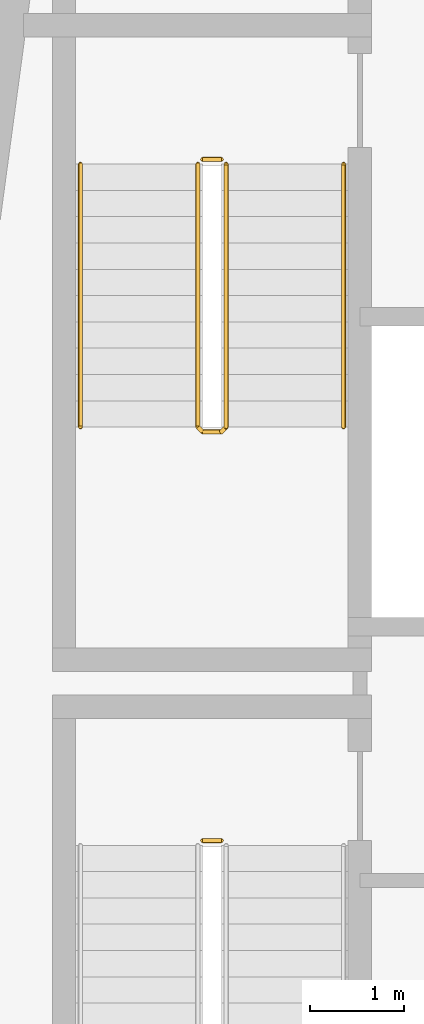
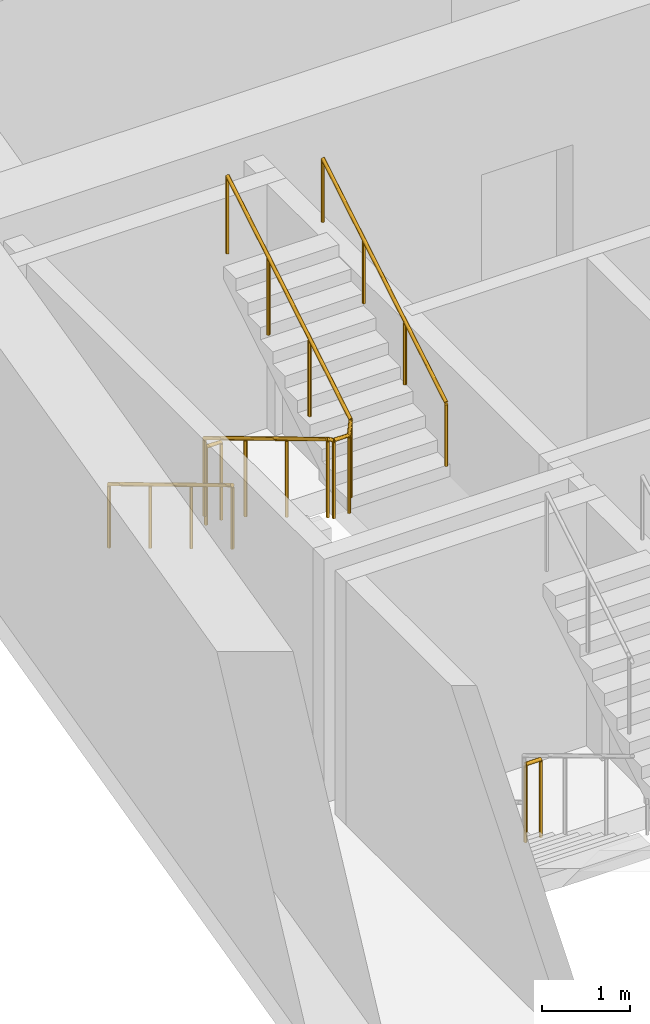
# One storey, part 9 of 12: 5 railings.
"""IFC4 building model written with IfcOpenShell, lengths in metres."""

import ifcopenshell
import ifcopenshell.guid

model = None  # the IFC model being written
_history = None  # IfcOwnerHistory: only IFC2X3 demands one
_inside = {}  # id of a spatial element -> (the spatial element, [elements in it])
_under = {}  # id of a project, library or spatial element -> (it, [spatial elements below it])
_declared = {}  # id of a project -> (the project, [libraries it declares])
_typed = {}  # id of a type object -> (the type object, [elements of that type])
_made_of = {}  # id of a material, layer set ... -> (it, [elements and type objects made of it])


def new_model(schema):
    """Start an empty IFC model of exactly this schema.

    Asked for "IFC4X3", IfcOpenShell would pick the latest addendum, in which some entities
    have other attributes; the version numbers below select the first issue.
    IFC2X3 requires an IfcOwnerHistory on every rooted entity: one is made here for all.
    """
    global model, _history
    if schema == "IFC4X3":
        model = ifcopenshell.file(schema_version=(4, 3, 0, 0))
    else:
        model = ifcopenshell.file(schema=schema)
    _inside.clear()
    _under.clear()
    _declared.clear()
    _typed.clear()
    _made_of.clear()
    _history = None
    if model.schema == "IFC2X3":
        org = make("IfcOrganization", Name="unknown")
        user = make(
            "IfcPersonAndOrganization",
            ThePerson=make("IfcPerson", FamilyName="unknown"),
            TheOrganization=org,
        )
        app = make(
            "IfcApplication",
            ApplicationDeveloper=org,
            Version="unknown",
            ApplicationFullName="unknown",
            ApplicationIdentifier="unknown",
        )
        _history = make(
            "IfcOwnerHistory",
            OwningUser=user,
            OwningApplication=app,
            ChangeAction="ADDED",
            CreationDate=0,
        )
    return model


def make(cls, **values):
    """One entity of the class cls with the attributes given. An attribute that is None is left unset."""
    return model.create_entity(
        cls, **{name: value for name, value in values.items() if value is not None}
    )


def rooted(cls, **values):
    """An entity with a GlobalId (a new one), such as an element, a storey or a relation."""
    return make(cls, GlobalId=ifcopenshell.guid.new(), OwnerHistory=_history, **values)


def si_unit(unit_type, name, prefix=None):
    """IfcSIUnit, for example si_unit("LENGTHUNIT", "METRE", prefix="MILLI")."""
    return make("IfcSIUnit", UnitType=unit_type, Prefix=prefix, Name=name)


def assignment(units):
    """IfcUnitAssignment: the units of a project."""
    return None if units is None else make("IfcUnitAssignment", Units=units)


def point(xyz):
    """IfcCartesianPoint."""
    return None if xyz is None else make("IfcCartesianPoint", Coordinates=xyz)


def direction(xyz):
    """IfcDirection."""
    return None if xyz is None else make("IfcDirection", DirectionRatios=xyz)


def frame(location, z_axis=None, x_axis=None):
    """IfcAxis2Placement3D, a coordinate frame: its origin and axes. An axis left out is left unset."""
    return make(
        "IfcAxis2Placement3D",
        Location=point(location),
        Axis=direction(z_axis),
        RefDirection=direction(x_axis),
    )


def frame_2d(location, x_axis=None):
    """IfcAxis2Placement2D, a coordinate frame in the plane: its origin and x axis."""
    return make(
        "IfcAxis2Placement2D", Location=point(location), RefDirection=direction(x_axis)
    )


def origin():
    """The frame at (0, 0, 0) with its axes left unset."""
    return frame((0.0, 0.0, 0.0))


def origin_2d():
    """The frame at (0, 0) in the plane with its x axis left unset."""
    return frame_2d((0.0, 0.0))


def place(relative_to, where):
    """IfcLocalPlacement: puts the frame where relative to a parent placement (None: the world)."""
    return make(
        "IfcLocalPlacement", PlacementRelTo=relative_to, RelativePlacement=where
    )


def context(
    kind, dimensions, precision=None, world=None, true_north=None, identifier=None
):
    """IfcGeometricRepresentationContext, for example the 3D "Model" context."""
    return make(
        "IfcGeometricRepresentationContext",
        ContextIdentifier=identifier,
        ContextType=kind,
        CoordinateSpaceDimension=dimensions,
        Precision=precision,
        WorldCoordinateSystem=world,
        TrueNorth=true_north,
    )


def subcontext(parent, identifier, kind, view, scale=None):
    """IfcGeometricRepresentationSubContext, for example "Body" below "Model"."""
    return make(
        "IfcGeometricRepresentationSubContext",
        ContextIdentifier=identifier,
        ContextType=kind,
        ParentContext=parent,
        TargetScale=scale,
        TargetView=view,
    )


def project(units=None, contexts=None):
    """IfcProject with its units and contexts."""
    return rooted(
        "IfcProject",
        Name="project",
        RepresentationContexts=contexts,
        UnitsInContext=assignment(units),
    )


def spatial(cls, under=None, at=None, **own):
    """A site, building, storey or space (cls), placed at a placement, below another one or the project."""
    s = rooted(cls, ObjectPlacement=at, **own)
    if under is not None:
        _under.setdefault(under.id(), (under, []))[1].append(s)
    return s


def profile(cls, at=None, kind="AREA", **sizes):
    """A parametric profile (cls). Its sizes go by their IFC names, for example OverallWidth=200.0."""
    return make(cls, ProfileType=kind, Position=at, **sizes)


def circle(**sizes):
    """IfcCircleProfileDef."""
    return profile("IfcCircleProfileDef", **sizes)


def extrude(swept, where, along, depth):
    """IfcExtrudedAreaSolid: the profile swept, set in the frame where, extruded along a direction by depth."""
    return make(
        "IfcExtrudedAreaSolid",
        SweptArea=swept,
        Position=where,
        ExtrudedDirection=direction(along),
        Depth=depth,
    )


def shape(context_of_items, identifier, shape_type, items):
    """IfcShapeRepresentation: the items that make up one representation, for example the "Body"."""
    return make(
        "IfcShapeRepresentation",
        ContextOfItems=context_of_items,
        RepresentationIdentifier=identifier,
        RepresentationType=shape_type,
        Items=items,
    )


def material(Name=None, Category=None):
    """IfcMaterial."""
    return make("IfcMaterial", Name=Name, Category=Category)


def made_of(thing, what):
    """Note that an element or type object is made of a material, layer set ...; save() writes the relation."""
    if what is not None:
        _made_of.setdefault(what.id(), (what, []))[1].append(thing)
    return thing


def type_object(cls, material=None, **own):
    """A type object (cls), such as IfcWallType, which elements share."""
    return made_of(rooted(cls, **own), material)


def element(
    cls,
    number,
    at=None,
    inside=None,
    cuts=None,
    type_object=None,
    material=None,
    context=None,
    identifier="Body",
    shape_type=None,
    held_by="IfcProductDefinitionShape",
    body=None,
    shapes=None,
    **own,
):
    """One element of the class cls, such as IfcWall. Its Tag is "e" and its number.

    at: its placement. inside: the storey or other place that contains it. cuts: it is an
    opening in that element (IfcRelVoidsElement). A single representation is given by context,
    identifier, shape_type and body (its items); several are given by shapes. held_by: the class
    of the entity that holds the representations. save() writes the other relations.
    """
    e = rooted(cls, Tag="e%d" % number, ObjectPlacement=at, **own)
    if body is not None:
        shapes = [shape(context, identifier, shape_type, body)]
    if shapes is not None:
        e.Representation = make(held_by, Representations=shapes)
    if inside is not None:
        _inside.setdefault(inside.id(), (inside, []))[1].append(e)
    if cuts is not None:
        rooted(
            "IfcRelVoidsElement", RelatingBuildingElement=cuts, RelatedOpeningElement=e
        )
    if type_object is not None:
        _typed.setdefault(type_object.id(), (type_object, []))[1].append(e)
    return made_of(e, material)


def aggregate(whole, parts):
    """IfcRelAggregates: a whole, such as a stair, and the parts it consists of."""
    return rooted("IfcRelAggregates", RelatingObject=whole, RelatedObjects=parts)


def save(model, path):
    """Write the relations noted so far, then the file.

    IfcRelAggregates (storeys below a building ...), IfcRelContainedInSpatialStructure (elements
    in a storey), IfcRelDefinesByType, IfcRelAssociatesMaterial and IfcRelDeclares: one each for
    every whole, place, type object, material and project.
    """
    for whole, parts in _under.values():
        aggregate(whole, parts)
    for where, things in _inside.values():
        rooted(
            "IfcRelContainedInSpatialStructure",
            RelatedElements=things,
            RelatingStructure=where,
        )
    for kind, things in _typed.values():
        rooted("IfcRelDefinesByType", RelatedObjects=things, RelatingType=kind)
    for what, things in _made_of.values():
        rooted("IfcRelAssociatesMaterial", RelatedObjects=things, RelatingMaterial=what)
    for by, libraries in _declared.values():
        rooted("IfcRelDeclares", RelatingContext=by, RelatedDefinitions=libraries)
    model.write(path)


model = new_model("IFC4")

# Units and contexts
model_context = context("Model", 3, precision=1e-05, world=origin(), true_north=direction((0.0, 1.0)))
body_context = subcontext(model_context, "Body", "Model", "MODEL_VIEW")
ifc_project = project(units=[si_unit("LENGTHUNIT", "METRE"), si_unit("AREAUNIT", "SQUARE_METRE"), si_unit("VOLUMEUNIT", "CUBIC_METRE"), si_unit("PLANEANGLEUNIT", "RADIAN"), si_unit("MASSUNIT", "GRAM", prefix="KILO")], contexts=[model_context])

# Site, building, storey
site_placement = place(None, origin())
site = spatial("IfcSite", under=ifc_project, at=site_placement, CompositionType="ELEMENT")
building_placement = place(site_placement, origin())
building = spatial("IfcBuilding", under=site, at=building_placement, Name="Candeia Pilgrim Tower and Theatre", CompositionType="ELEMENT")
storey_placement = place(building_placement, frame((0.0, 0.0, 217.0)))
storey = spatial("IfcBuildingStorey", under=building, at=storey_placement, Name="L52", CompositionType="ELEMENT", Elevation=217.0)

# Railings
ifc_material_1 = material(Name="Stainless steel balustrade", Category="steel")
railing_type_1 = type_object("IfcRailingType", Name="RL-GUARD-1100", PredefinedType="GUARDRAIL", material=ifc_material_1)
railing_1_placement = place(storey_placement, frame((91.152099609375, 122.52490234375, 0.0)))
element("IfcRailing", 1, at=railing_1_placement, inside=storey, type_object=railing_type_1, Name="L52 ST1 stair guard 2", PredefinedType="GUARDRAIL", context=body_context, shape_type="SweptSolid", body=[
    extrude(circle(Radius=0.02392578125, at=origin_2d()), frame((0.0, 0.0, 1.076171875), z_axis=(1.0, 0.0, 0.0), x_axis=(0.0, 1.0, 0.0)), (0.0, 0.0, 1.0), 0.199951171875),
    extrude(circle(Radius=0.02099609375, at=origin_2d()), origin(), (0.0, 0.0, 1.0), 1.052001953125),
    extrude(circle(Radius=0.02099609375, at=origin_2d()), frame((0.199951171875, 0.0, 0.0)), (0.0, 0.0, 1.0), 1.052001953125),
])
railing_2_placement = place(storey_placement, frame((91.10205078125, 129.72509765625, 0.168212890625)))
element("IfcRailing", 2, at=railing_2_placement, inside=storey, type_object=railing_type_1, Name="L52 ST2 stair guard 1", PredefinedType="GUARDRAIL", context=body_context, shape_type="SweptSolid", body=[
    extrude(circle(Radius=0.02392578125, at=origin_2d()), frame((0.0, 0.0, 1.076171875), z_axis=(0.0, -0.857242210791, 0.514913383045), x_axis=(1.0, 0.0, 0.0)), (0.0, 0.0, 1.0), 3.266357421875),
    extrude(circle(Radius=0.02392578125, at=origin_2d()), frame((0.0, -2.800048828125, 2.7578125), z_axis=(0.707106781187, -0.707106781187, 0.0), x_axis=(0.707106781187, 0.707106781187, 0.0)), (0.0, 0.0, 1.0), 0.07080078125),
    extrude(circle(Radius=0.02392578125, at=origin_2d()), frame((0.050048828125, -2.85009765625, 2.7578125), z_axis=(1.0, 0.0, 0.0), x_axis=(0.0, 1.0, 0.0)), (0.0, 0.0, 1.0), 0.199951171875),
    extrude(circle(Radius=0.02392578125, at=origin_2d()), frame((0.25, -2.85009765625, 2.7578125), z_axis=(0.274582412415, 0.274582412415, 0.921525364591), x_axis=(-0.707106781187, 0.707106781187, 0.0)), (0.0, 0.0, 1.0), 0.182373046875),
    extrude(circle(Radius=0.02392578125, at=origin_2d()), frame((0.300048828125, -2.800048828125, 2.92578125), z_axis=(0.0, 0.857242210791, 0.514913383045), x_axis=(-1.0, 0.0, 0.0)), (0.0, 0.0, 1.0), 3.266357421875),
    extrude(circle(Radius=0.02099609375, at=origin_2d()), origin(), (0.0, 0.0, 1.0), 1.052001953125),
    extrude(circle(Radius=0.02099609375, at=origin_2d()), frame((0.0, -0.933349609375, 0.560546875)), (0.0, 0.0, 1.0), 1.052001953125),
    extrude(circle(Radius=0.02099609375, at=origin_2d()), frame((0.0, -1.86669921875, 1.121337890625)), (0.0, 0.0, 1.0), 1.052001953125),
    extrude(circle(Radius=0.02099609375, at=origin_2d()), frame((0.0, -2.800048828125, 1.681884765625)), (0.0, 0.0, 1.0), 1.052001953125),
    extrude(circle(Radius=0.02099609375, at=origin_2d()), frame((0.050048828125, -2.85009765625, 1.681884765625)), (0.0, 0.0, 1.0), 1.052001953125),
    extrude(circle(Radius=0.02099609375, at=origin_2d()), frame((0.25, -2.85009765625, 1.681884765625)), (0.0, 0.0, 1.0), 1.052001953125),
    extrude(circle(Radius=0.02099609375, at=origin_2d()), frame((0.300048828125, -2.800048828125, 1.849853515625)), (0.0, 0.0, 1.0), 1.052001953125),
    extrude(circle(Radius=0.02099609375, at=origin_2d()), frame((0.300048828125, -1.86669921875, 2.410400390625)), (0.0, 0.0, 1.0), 1.052001953125),
    extrude(circle(Radius=0.02099609375, at=origin_2d()), frame((0.300048828125, -0.933349609375, 2.97119140625)), (0.0, 0.0, 1.0), 1.052001953125),
    extrude(circle(Radius=0.02099609375, at=origin_2d()), frame((0.300048828125, 0.0, 3.53173828125)), (0.0, 0.0, 1.0), 1.052001953125),
])
railing_3_placement = place(storey_placement, frame((91.152099609375, 129.77490234375, 0.0)))
element("IfcRailing", 3, at=railing_3_placement, inside=storey, type_object=railing_type_1, Name="L52 ST2 stair guard 2", PredefinedType="GUARDRAIL", context=body_context, shape_type="SweptSolid", body=[
    extrude(circle(Radius=0.02392578125, at=origin_2d()), frame((0.0, 0.0, 1.076171875), z_axis=(1.0, 0.0, 0.0), x_axis=(0.0, 1.0, 0.0)), (0.0, 0.0, 1.0), 0.199951171875),
    extrude(circle(Radius=0.02099609375, at=origin_2d()), origin(), (0.0, 0.0, 1.0), 1.052001953125),
    extrude(circle(Radius=0.02099609375, at=origin_2d()), frame((0.199951171875, 0.0, 0.0)), (0.0, 0.0, 1.0), 1.052001953125),
])
ifc_material_2 = material(Name="Stainless steel handrail", Category="steel")
railing_type_2 = type_object("IfcRailingType", Name="RL-HANDRAIL-900", PredefinedType="HANDRAIL", material=ifc_material_2)
railing_4_placement = place(storey_placement, frame((89.85205078125, 129.72509765625, 0.168212890625)))
element("IfcRailing", 4, at=railing_4_placement, inside=storey, type_object=railing_type_2, Name="L52 ST2 stair handrail 1", PredefinedType="HANDRAIL", context=body_context, shape_type="SweptSolid", body=[
    extrude(circle(Radius=0.02392578125, at=origin_2d()), frame((0.0, 0.0, 0.8759765625), z_axis=(0.0, -0.857242210791, 0.514913383045), x_axis=(1.0, 0.0, 0.0)), (0.0, 0.0, 1.0), 3.266357421875),
    extrude(circle(Radius=0.02099609375, at=origin_2d()), origin(), (0.0, 0.0, 1.0), 0.851806640625),
    extrude(circle(Radius=0.02099609375, at=origin_2d()), frame((0.0, -0.933349609375, 0.560546875)), (0.0, 0.0, 1.0), 0.851806640625),
    extrude(circle(Radius=0.02099609375, at=origin_2d()), frame((0.0, -1.86669921875, 1.121337890625)), (0.0, 0.0, 1.0), 0.851806640625),
    extrude(circle(Radius=0.02099609375, at=origin_2d()), frame((0.0, -2.800048828125, 1.681884765625)), (0.0, 0.0, 1.0), 0.851806640625),
])
railing_5_placement = place(storey_placement, frame((92.652099609375, 126.925048828125, 2.01806640625)))
element("IfcRailing", 5, at=railing_5_placement, inside=storey, type_object=railing_type_2, Name="L52 ST2 stair handrail 2", PredefinedType="HANDRAIL", context=body_context, shape_type="SweptSolid", body=[
    extrude(circle(Radius=0.02392578125, at=origin_2d()), frame((0.0, 0.0, 0.8759765625), z_axis=(0.0, 0.857242210791, 0.514913383045), x_axis=(-1.0, 0.0, 0.0)), (0.0, 0.0, 1.0), 3.266357421875),
    extrude(circle(Radius=0.02099609375, at=origin_2d()), origin(), (0.0, 0.0, 1.0), 0.851806640625),
    extrude(circle(Radius=0.02099609375, at=origin_2d()), frame((0.0, 0.933349609375, 0.560546875)), (0.0, 0.0, 1.0), 0.851806640625),
    extrude(circle(Radius=0.02099609375, at=origin_2d()), frame((0.0, 1.86669921875, 1.121337890625)), (0.0, 0.0, 1.0), 0.851806640625),
    extrude(circle(Radius=0.02099609375, at=origin_2d()), frame((0.0, 2.800048828125, 1.681884765625)), (0.0, 0.0, 1.0), 0.851806640625),
])

save(model, "model.ifc")
